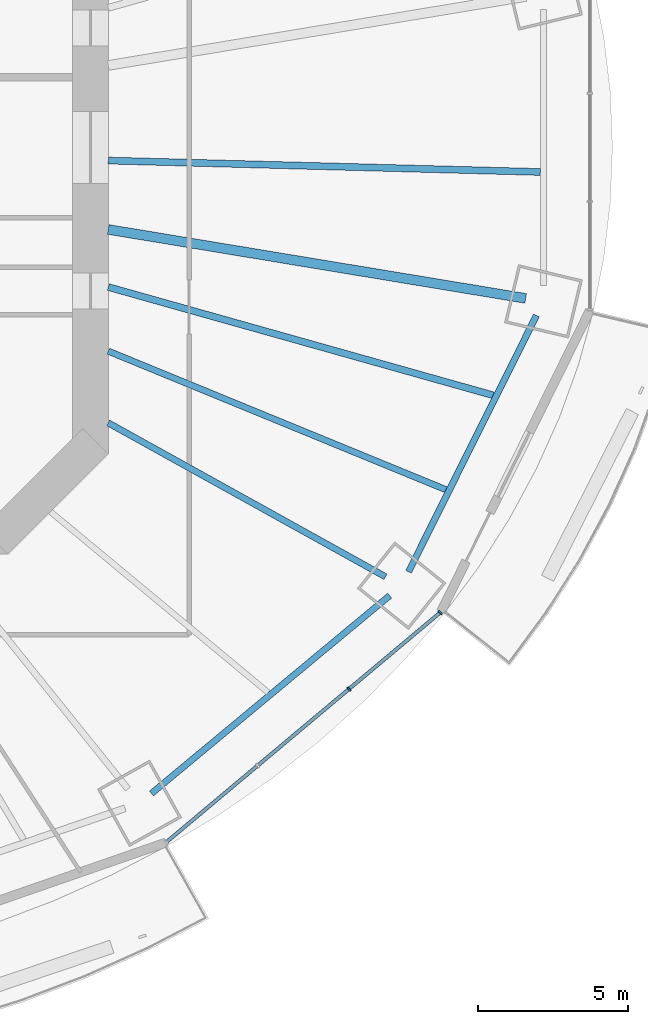
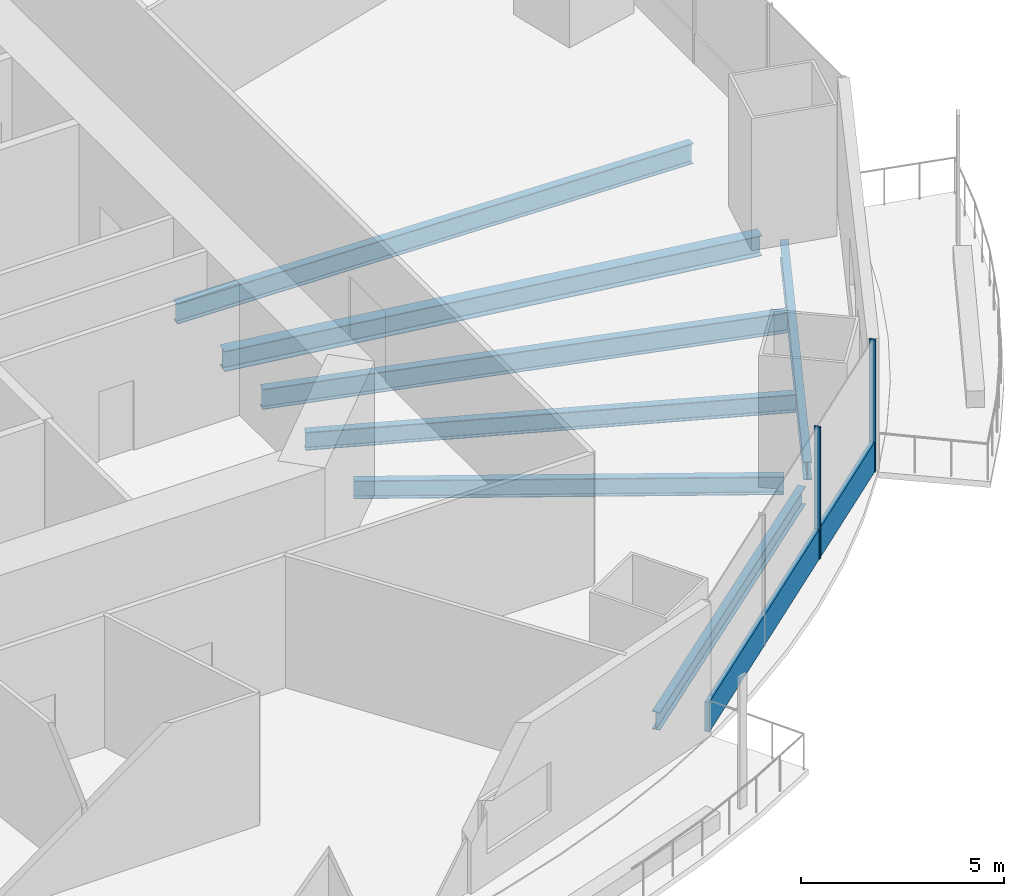
# One storey, part 5 of 20: 7 beams, 3 members, 1 element without a shape of its own.
"""IFC4 building model written with IfcOpenShell, lengths in metres."""

from ifc_helpers import new_model, si_unit, direction, frame, origin, origin_2d, place, context, subcontext, project, spatial, rectangle, i_section, extrude, material, material_profile, profile_set, type_object, element, aggregate, save


model = new_model("IFC4")

# Units and contexts
model_context = context("Model", 3, precision=1e-05, world=origin(), true_north=direction((0.0, 1.0)))
body_context = subcontext(model_context, "Body", "Model", "MODEL_VIEW")
ifc_project = project(units=[si_unit("LENGTHUNIT", "METRE"), si_unit("AREAUNIT", "SQUARE_METRE"), si_unit("VOLUMEUNIT", "CUBIC_METRE"), si_unit("PLANEANGLEUNIT", "RADIAN"), si_unit("MASSUNIT", "GRAM", prefix="KILO")], contexts=[model_context])

# Site, building, storey
site_placement = place(None, origin())
site = spatial("IfcSite", under=ifc_project, at=site_placement, CompositionType="ELEMENT")
building_placement = place(site_placement, origin())
building = spatial("IfcBuilding", under=site, at=building_placement, Name="Marenthal Gate Tower", CompositionType="ELEMENT")
storey_placement = place(building_placement, frame((0.0, 0.0, 136.75)))
storey = spatial("IfcBuildingStorey", under=building, at=storey_placement, Name="L29", CompositionType="ELEMENT", Elevation=136.75)

# Curtain wall, members
ifc_material_1 = material(Name="Aluminium and glass", Category="aluminium")
curtain_wall_type = type_object("IfcCurtainWallType", Name="Curtain wall typical low", PredefinedType="NOTDEFINED", material=ifc_material_1)
curtain_wall_placement = place(storey_placement, origin())
curtain_wall = element("IfcCurtainWall", 1, at=curtain_wall_placement, inside=storey, type_object=curtain_wall_type, Name="Curtain wall L29 bay 14", PredefinedType="NOTDEFINED")
ifc_material_2 = material(Name="Aluminium", Category="aluminium")
ifc_material_profile_1 = material_profile(ifc_material_2, rectangle(XDim=0.159912109375, YDim=0.06005859375, at=origin_2d()), Name="60x160 aluminium mullion")
ifc_profile_set_1 = profile_set([ifc_material_profile_1], Name="Aluminium")
member_type_1 = type_object("IfcMemberType", Name="Mullion 60x160 typical low", PredefinedType="MULLION", material=ifc_profile_set_1)
member_1_placement = place(storey_placement, frame((24.64892578125, -18.109619140625, 0.0), z_axis=(0.0, 0.0, 1.0), x_axis=(-0.642510826857, 0.766276606305, 0.0)))
member_1 = element("IfcMember", 2, at=member_1_placement, type_object=member_type_1, Name="Mullion L29 bay 14.3", PredefinedType="MULLION", context=body_context, shape_type="SweptSolid", body=[
    extrude(rectangle(XDim=0.159912109375, YDim=0.06005859375, at=origin_2d()), origin(), (0.0, 0.0, 1.0), 3.969970703125),
])
member_2_placement = place(storey_placement, frame((27.699951171875, -15.551513671875, 0.0), z_axis=(0.0, 0.0, 1.0), x_axis=(-0.642510826857, 0.766276606305, 0.0)))
member_2 = element("IfcMember", 3, at=member_2_placement, type_object=member_type_1, Name="Mullion L29 bay 14.4", PredefinedType="MULLION", context=body_context, shape_type="SweptSolid", body=[
    extrude(rectangle(XDim=0.159912109375, YDim=0.06005859375, at=origin_2d()), origin(), (0.0, 0.0, 1.0), 3.969970703125),
])
ifc_material_3 = material(Name="Aluminium", Category="aluminium")
ifc_material_profile_2 = material_profile(ifc_material_3, rectangle(XDim=0.1201171875, YDim=0.89990234375, at=origin_2d()), Name="120x900 aluminium transom")
ifc_profile_set_2 = profile_set([ifc_material_profile_2], Name="Aluminium")
member_type_2 = type_object("IfcMemberType", Name="Transom 120x900 typical low", PredefinedType="USERDEFINED", material=ifc_profile_set_2)
member_3_placement = place(storey_placement, frame((18.56982421875, -23.206787109375, 0.449951171875), z_axis=(0.76627636454, 0.642511115194, 0.0), x_axis=(-0.642511115194, 0.76627636454, 0.0)))
member_3 = element("IfcMember", 4, at=member_3_placement, type_object=member_type_2, Name="Transom L29 bay 14", ObjectType="TRANSOM", PredefinedType="USERDEFINED", context=body_context, shape_type="SweptSolid", body=[
    extrude(rectangle(XDim=0.1201171875, YDim=0.89990234375, at=origin_2d()), origin(), (0.0, 0.0, 1.0), 11.885009765625),
])
aggregate(curtain_wall, [member_1, member_2, member_3])

# Beams
ifc_material_4 = material(Name="Steel S355", Category="steel")
ifc_material_profile_3 = material_profile(ifc_material_4, i_section(OverallWidth=0.2119140625, OverallDepth=0.5439453125, WebThickness=0.01318359375, FlangeThickness=0.021240234375, FilletRadius=0.0126953125, at=origin_2d()), Name="W530X123")
ifc_profile_set_3 = profile_set([ifc_material_profile_3], Name="Steel S355")
beam_type_1 = type_object("IfcBeamType", Name="W530X123 beam", PredefinedType="BEAM", material=ifc_profile_set_3)
beam_1_placement = place(storey_placement, frame((25.8701171875, -14.355224609375, -0.451904296875), z_axis=(-0.874396146379, 0.485212715412, 0.0), x_axis=(-0.485212715412, -0.874396146379, 0.0)))
element("IfcBeam", 5, at=beam_1_placement, inside=storey, type_object=beam_type_1, Name="BM-L29-15", PredefinedType="BEAM", context=body_context, shape_type="SweptSolid", body=[
    extrude(i_section(OverallWidth=0.2119140625, OverallDepth=0.5439453125, WebThickness=0.01318359375, FlangeThickness=0.021240234375, FilletRadius=0.0126953125, at=origin_2d()), origin(), (0.0, 0.0, 1.0), 10.6015625),
])
beam_2_placement = place(storey_placement, frame((27.8916015625, -11.444580078125, -0.451904296875), z_axis=(-0.925143041133, 0.379618694803, 0.0), x_axis=(-0.379618694803, -0.925143041133, 0.0)))
element("IfcBeam", 6, at=beam_2_placement, inside=storey, type_object=beam_type_1, Name="BM-L29-38", PredefinedType="BEAM", context=body_context, shape_type="SweptSolid", body=[
    extrude(i_section(OverallWidth=0.2119140625, OverallDepth=0.5439453125, WebThickness=0.01318359375, FlangeThickness=0.021240234375, FilletRadius=0.0126953125, at=origin_2d()), origin(), (0.0, 0.0, 1.0), 12.205078125),
])
beam_3_placement = place(storey_placement, frame((18.044189453125, -21.60107421875, -0.451904296875), z_axis=(0.769308410826, 0.638877585326, 0.0), x_axis=(-0.638877585326, 0.769308410826, 0.0)))
element("IfcBeam", 7, at=beam_3_placement, inside=storey, type_object=beam_type_1, Name="BM-L29-54", PredefinedType="BEAM", context=body_context, shape_type="SweptSolid", body=[
    extrude(i_section(OverallWidth=0.2119140625, OverallDepth=0.5439453125, WebThickness=0.01318359375, FlangeThickness=0.021240234375, FilletRadius=0.0126953125, at=origin_2d()), origin(), (0.0, 0.0, 1.0), 10.35302734375),
])
beam_4_placement = place(storey_placement, frame((26.642578125, -14.185791015625, -0.451904296875), z_axis=(0.446356728124, 0.89485511188, 0.0), x_axis=(-0.89485511188, 0.446356728124, 0.0)))
element("IfcBeam", 8, at=beam_4_placement, inside=storey, type_object=beam_type_1, Name="BM-L29-55", PredefinedType="BEAM", context=body_context, shape_type="SweptSolid", body=[
    extrude(i_section(OverallWidth=0.2119140625, OverallDepth=0.5439453125, WebThickness=0.01318359375, FlangeThickness=0.021240234375, FilletRadius=0.0126953125, at=origin_2d()), origin(), (0.0, 0.0, 1.0), 9.57568359375),
])
ifc_material_5 = material(Name="Steel S355", Category="steel")
ifc_material_profile_4 = material_profile(ifc_material_5, i_section(OverallWidth=0.22900390625, OverallDepth=0.612060546875, WebThickness=0.011962890625, FlangeThickness=0.01953125, FilletRadius=0.0126953125, at=origin_2d()), Name="W610X125")
ifc_profile_set_4 = profile_set([ifc_material_profile_4], Name="Steel S355")
beam_type_2 = type_object("IfcBeamType", Name="W610X125 beam", PredefinedType="BEAM", material=ifc_profile_set_4)
beam_5_placement = place(storey_placement, frame((29.466796875, -8.2861328125, -0.486083984375), z_axis=(-0.962662543646, 0.270704316664, 0.0), x_axis=(-0.270704316664, -0.962662543646, 0.0)))
element("IfcBeam", 9, at=beam_5_placement, inside=storey, type_object=beam_type_2, Name="BM-L29-39", PredefinedType="BEAM", context=body_context, shape_type="SweptSolid", body=[
    extrude(i_section(OverallWidth=0.22900390625, OverallDepth=0.612060546875, WebThickness=0.011962890625, FlangeThickness=0.01953125, FilletRadius=0.0126953125, at=origin_2d()), origin(), (0.0, 0.0, 1.0), 13.36572265625),
])
beam_6_placement = place(storey_placement, frame((31.045654296875, -0.820556640625, -0.486083984375), z_axis=(-0.999650837546, 0.026423531071, 0.0), x_axis=(-0.026423531071, -0.999650837546, 0.0)))
element("IfcBeam", 10, at=beam_6_placement, inside=storey, type_object=beam_type_2, Name="BM-L29-40", PredefinedType="BEAM", context=body_context, shape_type="SweptSolid", body=[
    extrude(i_section(OverallWidth=0.22900390625, OverallDepth=0.612060546875, WebThickness=0.011962890625, FlangeThickness=0.01953125, FilletRadius=0.0126953125, at=origin_2d()), origin(), (0.0, 0.0, 1.0), 14.45068359375),
])
ifc_material_6 = material(Name="Steel S355", Category="steel")
ifc_material_profile_5 = material_profile(ifc_material_6, i_section(OverallWidth=0.324951171875, OverallDepth=0.612060546875, WebThickness=0.0126953125, FlangeThickness=0.01904296875, FilletRadius=0.0126953125, at=origin_2d()), Name="W610X155")
ifc_profile_set_5 = profile_set([ifc_material_profile_5], Name="Steel S355")
beam_type_3 = type_object("IfcBeamType", Name="W610X155 beam", PredefinedType="BEAM", material=ifc_profile_set_5)
beam_7_placement = place(storey_placement, frame((30.556884765625, -5.047607421875, -0.486083984375), z_axis=(-0.986630319442, 0.162974270234, 0.0), x_axis=(-0.162974270234, -0.986630319442, 0.0)))
element("IfcBeam", 11, at=beam_7_placement, inside=storey, type_object=beam_type_3, Name="BM-L29-16", PredefinedType="BEAM", context=body_context, shape_type="SweptSolid", body=[
    extrude(i_section(OverallWidth=0.324951171875, OverallDepth=0.612060546875, WebThickness=0.0126953125, FlangeThickness=0.01904296875, FilletRadius=0.0126953125, at=origin_2d()), origin(), (0.0, 0.0, 1.0), 14.14599609375),
])

save(model, "model.ifc")
